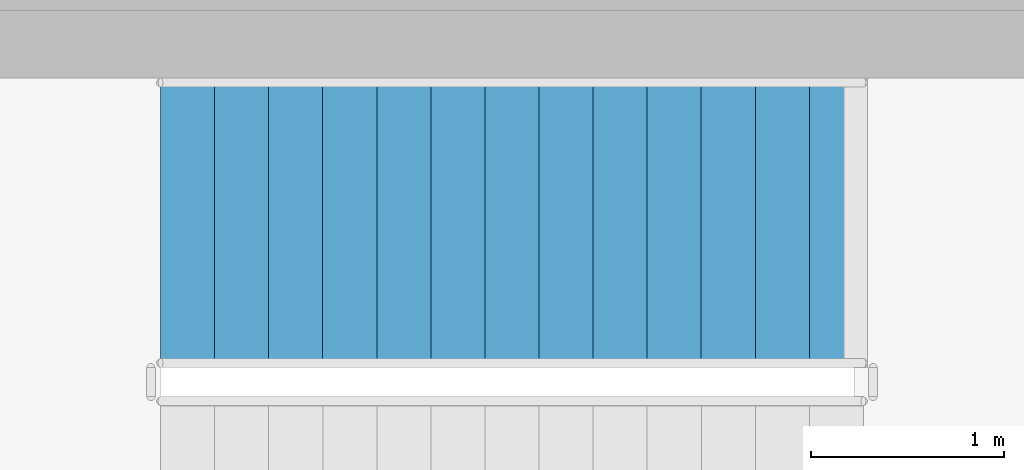
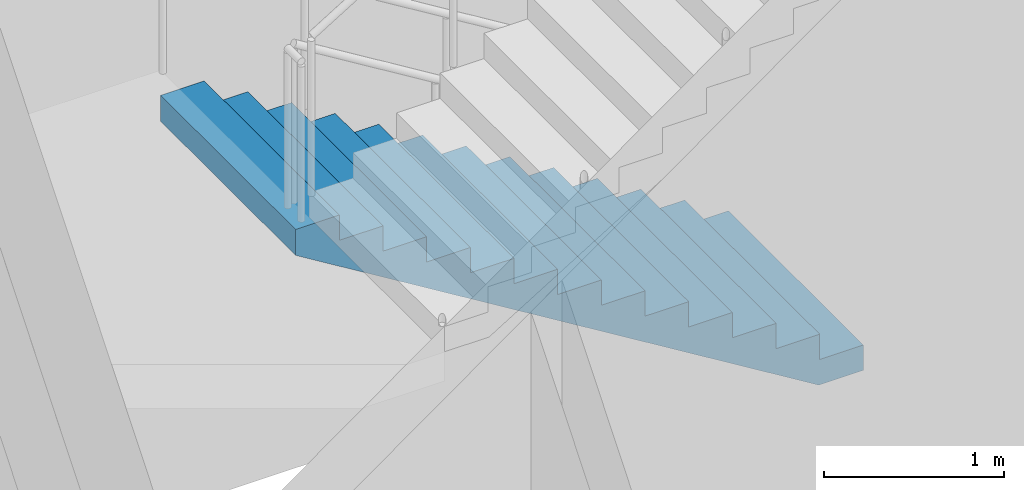
# One storey, part 68 of 91: 1 stair flight, 1 element without a shape of its own.
"""IFC4 building model written with IfcOpenShell, lengths in metres."""

from ifc_helpers import new_model, si_unit, direction, frame, origin, place, context, subcontext, project, spatial, triangles, material, type_object, element, aggregate, save


model = new_model("IFC4")

# Units and contexts
model_context = context("Model", 3, precision=1e-05, world=origin(), true_north=direction((0.0, 1.0)))
body_context = subcontext(model_context, "Body", "Model", "MODEL_VIEW")
ifc_project = project(units=[si_unit("LENGTHUNIT", "METRE"), si_unit("AREAUNIT", "SQUARE_METRE"), si_unit("VOLUMEUNIT", "CUBIC_METRE"), si_unit("PLANEANGLEUNIT", "RADIAN"), si_unit("MASSUNIT", "GRAM", prefix="KILO")], contexts=[model_context])

# Site, building, storey
site_placement = place(None, origin())
site = spatial("IfcSite", under=ifc_project, at=site_placement, CompositionType="ELEMENT")
building_placement = place(site_placement, origin())
building = spatial("IfcBuilding", under=site, at=building_placement, Name="Magnolia Steps Interchange", CompositionType="ELEMENT")
storey_placement = place(building_placement, origin())
storey = spatial("IfcBuildingStorey", under=building, at=storey_placement, Name="L00", CompositionType="ELEMENT", Elevation=0.0)

# Stair, stair flight
ifc_material_1 = material(Name="Concrete C40", Category="concrete")
stair_type = type_object("IfcStairType", Name="Exit stair 1500", PredefinedType="HALF_TURN_STAIR", material=ifc_material_1)
stair_placement = place(storey_placement, origin())
stair = element("IfcStair", 1, at=stair_placement, inside=storey, type_object=stair_type, Name="L00 Stair 2", PredefinedType="HALF_TURN_STAIR")
ifc_material_2 = material(Name="Concrete C40", Category="concrete")
stair_flight_type = type_object("IfcStairFlightType", Name="Exit stair flight", PredefinedType="STRAIGHT", material=ifc_material_2)
stair_flight_placement = place(storey_placement, frame((59.0, 84.35009765625, 0.0), z_axis=(0.0, 0.0, 1.0), x_axis=(-1.0, 0.0, 0.0)))
stair_flight = element("IfcStairFlight", 2, at=stair_flight_placement, type_object=stair_flight_type, Name="Stair 2 flight 1", NumberOfRisers=14, NumberOfTreads=13, PredefinedType="STRAIGHT", RiserHeight=0.171428571, TreadLength=0.28, context=body_context, shape_type="Tessellation", body=[
    triangles([(0.0, -0.75, 0.0), (0.287109375, -0.75, 0.0), (3.639892578125, -0.75, 2.052734375), (3.639892578125, -0.75, 2.228515625), (3.360107421875, -0.75, 2.228515625), (3.360107421875, -0.75, 2.05712890625), (3.080078125, -0.75, 2.05712890625), (3.080078125, -0.75, 1.8857421875), (2.800048828125, -0.75, 1.8857421875), (2.800048828125, -0.75, 1.71435546875), (2.52001953125, -0.75, 1.71435546875), (2.52001953125, -0.75, 1.54296875), (2.239990234375, -0.75, 1.54296875), (2.239990234375, -0.75, 1.371337890625), (1.9599609375, -0.75, 1.371337890625), (1.9599609375, -0.75, 1.199951171875), (1.679931640625, -0.75, 1.199951171875), (1.679931640625, -0.75, 1.028564453125), (1.39990234375, -0.75, 1.028564453125), (1.39990234375, -0.75, 0.857177734375), (1.1201171875, -0.75, 0.857177734375), (1.1201171875, -0.75, 0.685791015625), (0.840087890625, -0.75, 0.685791015625), (0.840087890625, -0.75, 0.514404296875), (0.56005859375, -0.75, 0.514404296875), (0.56005859375, -0.75, 0.3427734375), (0.280029296875, -0.75, 0.3427734375), (0.280029296875, -0.75, 0.17138671875), (0.0, -0.75, 0.17138671875), (0.0, 0.75, 0.0), (0.287109375, 0.75, 0.0), (3.639892578125, 0.75, 2.052734375), (3.639892578125, 0.75, 2.228515625), (3.360107421875, 0.75, 2.228515625), (3.360107421875, 0.75, 2.05712890625), (3.080078125, 0.75, 2.05712890625), (3.080078125, 0.75, 1.8857421875), (2.800048828125, 0.75, 1.8857421875), (2.800048828125, 0.75, 1.71435546875), (2.52001953125, 0.75, 1.71435546875), (2.52001953125, 0.75, 1.54296875), (2.239990234375, 0.75, 1.54296875), (2.239990234375, 0.75, 1.371337890625), (1.9599609375, 0.75, 1.371337890625), (1.9599609375, 0.75, 1.199951171875), (1.679931640625, 0.75, 1.199951171875), (1.679931640625, 0.75, 1.028564453125), (1.39990234375, 0.75, 1.028564453125), (1.39990234375, 0.75, 0.857177734375), (1.1201171875, 0.75, 0.857177734375), (1.1201171875, 0.75, 0.685791015625), (0.840087890625, 0.75, 0.685791015625), (0.840087890625, 0.75, 0.514404296875), (0.56005859375, 0.75, 0.514404296875), (0.56005859375, 0.75, 0.3427734375), (0.280029296875, 0.75, 0.3427734375), (0.280029296875, 0.75, 0.17138671875), (0.0, 0.75, 0.17138671875), (0.0, 0.0, 0.0), (0.0, 0.0, 0.0428466796875), (0.0, 0.0, 0.085693359375), (0.0, 0.0, 0.1285400390625), (0.0, 0.0, 0.17138671875), (0.0, -0.05, 0.0), (0.0, -0.05, 0.17138671875), (0.0, 0.05, 0.0), (0.0, 0.05, 0.17138671875), (0.046671549479166664, 0.0, 0.17138671875), (0.09334309895833333, 0.0, 0.17138671875), (0.1400146484375, 0.0, 0.17138671875), (0.18668619791666666, 0.0, 0.17138671875), (0.23335774739583334, 0.0, 0.17138671875), (0.280029296875, 0.0, 0.17138671875), (0.280029296875, -0.05, 0.17138671875), (0.280029296875, 0.05, 0.17138671875), (0.280029296875, 0.0, 0.2142333984375), (0.280029296875, 0.0, 0.257080078125), (0.280029296875, 0.0, 0.2999267578125), (0.280029296875, 0.0, 0.3427734375), (0.280029296875, -0.05, 0.3427734375), (0.280029296875, 0.05, 0.3427734375), (0.3267008463541667, 0.0, 0.3427734375), (0.3733723958333333, 0.0, 0.3427734375), (0.4200439453125, 0.0, 0.3427734375), (0.46671549479166663, 0.0, 0.3427734375), (0.5133870442708334, 0.0, 0.3427734375), (0.56005859375, 0.0, 0.3427734375), (0.56005859375, -0.05, 0.3427734375), (0.56005859375, 0.05, 0.3427734375), (0.56005859375, 0.0, 0.38568115234375), (0.56005859375, 0.0, 0.4285888671875), (0.56005859375, 0.0, 0.47149658203125), (0.56005859375, 0.0, 0.514404296875), (0.56005859375, -0.05, 0.514404296875), (0.56005859375, 0.05, 0.514404296875), (0.6067301432291666, 0.0, 0.514404296875), (0.6534016927083334, 0.0, 0.514404296875), (0.7000732421875, 0.0, 0.514404296875), (0.7467447916666666, 0.0, 0.514404296875), (0.7934163411458334, 0.0, 0.514404296875), (0.840087890625, 0.0, 0.514404296875), (0.840087890625, -0.05, 0.514404296875), (0.840087890625, 0.05, 0.514404296875), (0.840087890625, 0.0, 0.5572509765625), (0.840087890625, 0.0, 0.60009765625), (0.840087890625, 0.0, 0.6429443359375), (0.840087890625, 0.0, 0.685791015625), (0.840087890625, -0.05, 0.685791015625), (0.840087890625, 0.05, 0.685791015625), (0.8867594401041666, 0.0, 0.685791015625), (0.9334309895833334, 0.0, 0.685791015625), (0.9801025390625, 0.0, 0.685791015625), (1.0267740885416667, 0.0, 0.685791015625), (1.0734456380208333, 0.0, 0.685791015625), (1.1201171875, 0.0, 0.685791015625), (1.1201171875, -0.05, 0.685791015625), (1.1201171875, 0.05, 0.685791015625), (1.1201171875, 0.0, 0.7286376953125), (1.1201171875, 0.0, 0.771484375), (1.1201171875, 0.0, 0.8143310546875), (1.1201171875, 0.0, 0.857177734375), (1.1201171875, -0.05, 0.857177734375), (1.1201171875, 0.05, 0.857177734375), (1.1900634765625, 0.0, 0.857177734375), (1.260009765625, 0.0, 0.857177734375), (1.3299560546875, 0.0, 0.857177734375), (1.39990234375, 0.0, 0.857177734375), (1.39990234375, -0.05, 0.857177734375), (1.39990234375, 0.05, 0.857177734375), (1.39990234375, 0.0, 0.9000244140625), (1.39990234375, 0.0, 0.94287109375), (1.39990234375, 0.0, 0.9857177734375), (1.39990234375, 0.0, 1.028564453125), (1.39990234375, -0.05, 1.028564453125), (1.39990234375, 0.05, 1.028564453125), (1.4465738932291667, 0.0, 1.028564453125), (1.4932454427083333, 0.0, 1.028564453125), (1.5399169921875, 0.0, 1.028564453125), (1.5865885416666667, 0.0, 1.028564453125), (1.6332600911458333, 0.0, 1.028564453125), (1.679931640625, 0.0, 1.028564453125), (1.679931640625, -0.05, 1.028564453125), (1.679931640625, 0.05, 1.028564453125), (1.679931640625, 0.0, 1.0714111328125), (1.679931640625, 0.0, 1.1142578125), (1.679931640625, 0.0, 1.1571044921875), (1.679931640625, 0.0, 1.199951171875), (1.679931640625, -0.05, 1.199951171875), (1.679931640625, 0.05, 1.199951171875), (1.7266031901041667, 0.0, 1.199951171875), (1.7732747395833333, 0.0, 1.199951171875), (1.8199462890625, 0.0, 1.199951171875), (1.8666178385416667, 0.0, 1.199951171875), (1.9132893880208333, 0.0, 1.199951171875), (1.9599609375, 0.0, 1.199951171875), (1.9599609375, -0.05, 1.199951171875), (1.9599609375, 0.05, 1.199951171875), (1.9599609375, 0.0, 1.2427978515625), (1.9599609375, 0.0, 1.28564453125), (1.9599609375, 0.0, 1.3284912109375), (1.9599609375, 0.0, 1.371337890625), (1.9599609375, -0.05, 1.371337890625), (1.9599609375, 0.05, 1.371337890625), (2.0066324869791665, 0.0, 1.371337890625), (2.0533040364583335, 0.0, 1.371337890625), (2.0999755859375, 0.0, 1.371337890625), (2.1466471354166665, 0.0, 1.371337890625), (2.1933186848958335, 0.0, 1.371337890625), (2.239990234375, 0.0, 1.371337890625), (2.239990234375, -0.05, 1.371337890625), (2.239990234375, 0.05, 1.371337890625), (2.239990234375, 0.0, 1.41424560546875), (2.239990234375, 0.0, 1.4571533203125), (2.239990234375, 0.0, 1.50006103515625), (2.239990234375, 0.0, 1.54296875), (2.239990234375, -0.05, 1.54296875), (2.239990234375, 0.05, 1.54296875), (2.2866617838541665, 0.0, 1.54296875), (2.3333333333333335, 0.0, 1.54296875), (2.3800048828125, 0.0, 1.54296875), (2.4266764322916665, 0.0, 1.54296875), (2.4733479817708335, 0.0, 1.54296875), (2.52001953125, 0.0, 1.54296875), (2.52001953125, -0.05, 1.54296875), (2.52001953125, 0.05, 1.54296875), (2.52001953125, 0.0, 1.5858154296875), (2.52001953125, 0.0, 1.628662109375), (2.52001953125, 0.0, 1.6715087890625), (2.52001953125, 0.0, 1.71435546875), (2.52001953125, -0.05, 1.71435546875), (2.52001953125, 0.05, 1.71435546875), (2.5666910807291665, 0.0, 1.71435546875), (2.6133626302083335, 0.0, 1.71435546875), (2.6600341796875, 0.0, 1.71435546875), (2.7067057291666665, 0.0, 1.71435546875), (2.7533772786458335, 0.0, 1.71435546875), (2.800048828125, 0.0, 1.71435546875), (2.800048828125, -0.05, 1.71435546875), (2.800048828125, 0.05, 1.71435546875), (2.800048828125, 0.0, 1.7572021484375), (2.800048828125, 0.0, 1.800048828125), (2.800048828125, 0.0, 1.8428955078125), (2.800048828125, 0.0, 1.8857421875), (2.800048828125, -0.05, 1.8857421875), (2.800048828125, 0.05, 1.8857421875), (2.8467203776041665, 0.0, 1.8857421875), (2.8933919270833335, 0.0, 1.8857421875), (2.9400634765625, 0.0, 1.8857421875), (2.9867350260416665, 0.0, 1.8857421875), (3.0334065755208335, 0.0, 1.8857421875), (3.080078125, 0.0, 1.8857421875), (3.080078125, -0.05, 1.8857421875), (3.080078125, 0.05, 1.8857421875), (3.080078125, 0.0, 1.9285888671875), (3.080078125, 0.0, 1.971435546875), (3.080078125, 0.0, 2.0142822265625), (3.080078125, 0.0, 2.05712890625), (3.080078125, -0.05, 2.05712890625), (3.080078125, 0.05, 2.05712890625), (3.1267496744791665, 0.0, 2.05712890625), (3.1734212239583335, 0.0, 2.05712890625), (3.2200927734375, 0.0, 2.05712890625), (3.2667643229166665, 0.0, 2.05712890625), (3.3134358723958335, 0.0, 2.05712890625), (3.360107421875, 0.0, 2.05712890625), (3.360107421875, -0.05, 2.05712890625), (3.360107421875, 0.05, 2.05712890625), (3.360107421875, 0.0, 2.0999755859375), (3.360107421875, 0.0, 2.142822265625), (3.360107421875, 0.0, 2.1856689453125), (3.360107421875, 0.0, 2.228515625), (3.360107421875, -0.05, 2.228515625), (3.360107421875, 0.05, 2.228515625), (3.4300537109375, 0.0, 2.228515625), (3.5, 0.0, 2.228515625), (3.5699462890625, 0.0, 2.228515625), (3.639892578125, 0.0, 2.228515625), (3.639892578125, -0.05, 2.228515625), (3.639892578125, 0.05, 2.228515625), (3.639892578125, 0.0, 2.1845703125), (3.639892578125, 0.0, 2.140625), (3.639892578125, 0.0, 2.0966796875), (3.639892578125, 0.0, 2.052734375), (3.639892578125, -0.05, 2.052734375), (3.639892578125, 0.05, 2.052734375), (3.582085971174569, 0.0, 2.0173424030172415), (3.524279364224138, 0.0, 1.9819504310344827), (3.466472757273707, 0.0, 1.9465584590517242), (3.408666150323276, 0.0, 1.9111664870689655), (3.3508595433728448, 0.0, 1.8757745150862069), (3.2930529364224137, 0.0, 1.8403825431034484), (3.2352463294719827, 0.0, 1.8049905711206897), (3.1774397225215516, 0.0, 1.769598599137931), (3.1196331155711206, 0.0, 1.7342066271551724), (3.0618265086206895, 0.0, 1.6988146551724137), (3.004019901670259, 0.0, 1.6634226831896552), (2.9462132947198274, 0.0, 1.6280307112068966), (2.888406687769397, 0.0, 1.592638739224138), (2.8306000808189653, 0.0, 1.5572467672413794), (2.7727934738685347, 0.0, 1.5218547952586206), (2.714986866918103, 0.0, 1.486462823275862), (2.6571802599676726, 0.0, 1.4510708512931034), (2.599373653017241, 0.0, 1.4156788793103448), (2.5415670460668105, 0.0, 1.3802869073275863), (2.483760439116379, 0.0, 1.3448949353448276), (2.4259538321659484, 0.0, 1.309502963362069), (2.3681472252155173, 0.0, 1.2741109913793105), (2.3103406182650863, 0.0, 1.2387190193965516), (2.2525340113146552, 0.0, 1.2033270474137931), (2.194727404364224, 0.0, 1.1679350754310345), (2.136920797413793, 0.0, 1.1325431034482758), (2.079114190463362, 0.0, 1.0971511314655173), (2.021307583512931, 0.0, 1.0617591594827587), (1.9635009765625, 0.0, 1.0263671875), (1.905694369612069, 0.0, 0.9909752155172413), (1.847887762661638, 0.0, 0.9555832435344827), (1.7900811557112069, 0.0, 0.9201912715517242), (1.7322745487607758, 0.0, 0.8847992995689655), (1.6744679418103448, 0.0, 0.8494073275862069), (1.6166613348599137, 0.0, 0.8140153556034482), (1.5588547279094827, 0.0, 0.7786233836206897), (1.5010481209590516, 0.0, 0.743231411637931), (1.4432415140086206, 0.0, 0.7078394396551724), (1.3854349070581895, 0.0, 0.6724474676724137), (1.3276283001077585, 0.0, 0.6370554956896552), (1.2698216931573274, 0.0, 0.6016635237068966), (1.2120150862068964, 0.0, 0.5662715517241379), (1.1542084792564653, 0.0, 0.5308795797413792), (1.0964018723060347, 0.0, 0.4954876077586208), (1.0385952653556036, 0.0, 0.4600956357758621), (0.9807886584051726, 0.0, 0.4247036637931034), (0.9229820514547415, 0.0, 0.38931169181034475), (0.8651754445043105, 0.0, 0.3539197198275863), (0.8073688375538794, 0.0, 0.3185277478448276), (0.7495622306034484, 0.0, 0.28313577586206895), (0.6917556236530173, 0.0, 0.24774380387931028), (0.6339490167025863, 0.0, 0.21235183189655182), (0.5761424097521552, 0.0, 0.17695985991379315), (0.5183358028017242, 0.0, 0.14156788793103448), (0.46052919585129315, 0.0, 0.1061759159482758), (0.4027225889008621, 0.0, 0.07078394396551735), (0.34491598195043105, 0.0, 0.03539197198275845), (0.287109375, 0.0, 0.0), (0.287109375, -0.05, 0.0), (0.287109375, 0.05, 0.0), (0.2392578125, 0.0, 0.0), (0.19140625, 0.0, 0.0), (0.1435546875, 0.0, 0.0), (0.095703125, 0.0, 0.0), (0.0478515625, 0.0, 0.0)], [[1, 2, 3], [3, 4, 5], [3, 5, 6], [3, 6, 7], [3, 7, 8], [8, 9, 10], [3, 8, 10], [10, 11, 12], [3, 10, 12], [12, 13, 14], [3, 12, 14], [14, 15, 16], [3, 14, 16], [16, 17, 18], [3, 16, 18], [18, 19, 20], [3, 18, 20], [20, 21, 22], [3, 20, 22], [22, 23, 24], [3, 22, 24], [24, 25, 26], [3, 24, 26], [26, 27, 28], [3, 26, 28], [1, 3, 28], [28, 29, 1], [30, 32, 31], [32, 34, 33], [32, 35, 34], [32, 36, 35], [32, 37, 36], [37, 39, 38], [32, 39, 37], [39, 41, 40], [32, 41, 39], [41, 43, 42], [32, 43, 41], [43, 45, 44], [32, 45, 43], [45, 47, 46], [32, 47, 45], [47, 49, 48], [32, 49, 47], [49, 51, 50], [32, 51, 49], [51, 53, 52], [32, 53, 51], [53, 55, 54], [32, 55, 53], [55, 57, 56], [32, 57, 55], [30, 57, 32], [57, 30, 58], [1, 29, 65], [1, 65, 64], [64, 60, 59], [64, 61, 60], [64, 65, 61], [65, 62, 61], [65, 63, 62], [30, 67, 58], [30, 66, 67], [66, 59, 60], [66, 60, 61], [66, 61, 67], [67, 61, 62], [67, 62, 63], [29, 28, 74], [29, 74, 65], [65, 68, 63], [65, 69, 68], [65, 70, 69], [65, 74, 70], [74, 71, 70], [74, 72, 71], [74, 73, 72], [58, 75, 57], [58, 67, 75], [67, 63, 68], [67, 68, 69], [67, 69, 70], [67, 70, 75], [75, 70, 71], [75, 71, 72], [75, 72, 73], [28, 27, 80], [28, 80, 74], [74, 76, 73], [74, 77, 76], [74, 80, 77], [80, 78, 77], [80, 79, 78], [57, 81, 56], [57, 75, 81], [75, 73, 76], [75, 76, 77], [75, 77, 81], [81, 77, 78], [81, 78, 79], [27, 26, 88], [27, 88, 80], [80, 82, 79], [80, 83, 82], [80, 84, 83], [80, 88, 84], [88, 85, 84], [88, 86, 85], [88, 87, 86], [56, 89, 55], [56, 81, 89], [81, 79, 82], [81, 82, 83], [81, 83, 84], [81, 84, 89], [89, 84, 85], [89, 85, 86], [89, 86, 87], [26, 25, 94], [26, 94, 88], [88, 90, 87], [88, 91, 90], [88, 94, 91], [94, 92, 91], [94, 93, 92], [55, 95, 54], [55, 89, 95], [89, 87, 90], [89, 90, 91], [89, 91, 95], [95, 91, 92], [95, 92, 93], [25, 24, 102], [25, 102, 94], [94, 96, 93], [94, 97, 96], [94, 98, 97], [94, 102, 98], [102, 99, 98], [102, 100, 99], [102, 101, 100], [54, 103, 53], [54, 95, 103], [95, 93, 96], [95, 96, 97], [95, 97, 98], [95, 98, 103], [103, 98, 99], [103, 99, 100], [103, 100, 101], [24, 23, 108], [24, 108, 102], [102, 104, 101], [102, 105, 104], [102, 108, 105], [108, 106, 105], [108, 107, 106], [53, 109, 52], [53, 103, 109], [103, 101, 104], [103, 104, 105], [103, 105, 109], [109, 105, 106], [109, 106, 107], [23, 22, 116], [23, 116, 108], [108, 110, 107], [108, 111, 110], [108, 112, 111], [108, 116, 112], [116, 113, 112], [116, 114, 113], [116, 115, 114], [52, 117, 51], [52, 109, 117], [109, 107, 110], [109, 110, 111], [109, 111, 112], [109, 112, 117], [117, 112, 113], [117, 113, 114], [117, 114, 115], [22, 21, 122], [22, 122, 116], [116, 118, 115], [116, 119, 118], [116, 122, 119], [122, 120, 119], [122, 121, 120], [51, 123, 50], [51, 117, 123], [117, 115, 118], [117, 118, 119], [117, 119, 123], [123, 119, 120], [123, 120, 121], [21, 20, 128], [21, 128, 122], [122, 124, 121], [122, 125, 124], [122, 128, 125], [128, 126, 125], [128, 127, 126], [50, 129, 49], [50, 123, 129], [123, 121, 124], [123, 124, 125], [123, 125, 129], [129, 125, 126], [129, 126, 127], [20, 19, 134], [20, 134, 128], [128, 130, 127], [128, 131, 130], [128, 134, 131], [134, 132, 131], [134, 133, 132], [49, 135, 48], [49, 129, 135], [129, 127, 130], [129, 130, 131], [129, 131, 135], [135, 131, 132], [135, 132, 133], [19, 18, 142], [19, 142, 134], [134, 136, 133], [134, 137, 136], [134, 138, 137], [134, 142, 138], [142, 139, 138], [142, 140, 139], [142, 141, 140], [48, 143, 47], [48, 135, 143], [135, 133, 136], [135, 136, 137], [135, 137, 138], [135, 138, 143], [143, 138, 139], [143, 139, 140], [143, 140, 141], [18, 17, 148], [18, 148, 142], [142, 144, 141], [142, 145, 144], [142, 148, 145], [148, 146, 145], [148, 147, 146], [47, 149, 46], [47, 143, 149], [143, 141, 144], [143, 144, 145], [143, 145, 149], [149, 145, 146], [149, 146, 147], [17, 16, 156], [17, 156, 148], [148, 150, 147], [148, 151, 150], [148, 152, 151], [148, 156, 152], [156, 153, 152], [156, 154, 153], [156, 155, 154], [46, 157, 45], [46, 149, 157], [149, 147, 150], [149, 150, 151], [149, 151, 152], [149, 152, 157], [157, 152, 153], [157, 153, 154], [157, 154, 155], [16, 15, 162], [16, 162, 156], [156, 158, 155], [156, 159, 158], [156, 162, 159], [162, 160, 159], [162, 161, 160], [45, 163, 44], [45, 157, 163], [157, 155, 158], [157, 158, 159], [157, 159, 163], [163, 159, 160], [163, 160, 161], [15, 14, 170], [15, 170, 162], [162, 164, 161], [162, 165, 164], [162, 166, 165], [162, 170, 166], [170, 167, 166], [170, 168, 167], [170, 169, 168], [44, 171, 43], [44, 163, 171], [163, 161, 164], [163, 164, 165], [163, 165, 166], [163, 166, 171], [171, 166, 167], [171, 167, 168], [171, 168, 169], [14, 13, 176], [14, 176, 170], [170, 172, 169], [170, 173, 172], [170, 176, 173], [176, 174, 173], [176, 175, 174], [43, 177, 42], [43, 171, 177], [171, 169, 172], [171, 172, 173], [171, 173, 177], [177, 173, 174], [177, 174, 175], [13, 12, 184], [13, 184, 176], [176, 178, 175], [176, 179, 178], [176, 180, 179], [176, 184, 180], [184, 181, 180], [184, 182, 181], [184, 183, 182], [42, 185, 41], [42, 177, 185], [177, 175, 178], [177, 178, 179], [177, 179, 180], [177, 180, 185], [185, 180, 181], [185, 181, 182], [185, 182, 183], [12, 11, 190], [12, 190, 184], [184, 186, 183], [184, 187, 186], [184, 190, 187], [190, 188, 187], [190, 189, 188], [41, 191, 40], [41, 185, 191], [185, 183, 186], [185, 186, 187], [185, 187, 191], [191, 187, 188], [191, 188, 189], [11, 10, 198], [11, 198, 190], [190, 192, 189], [190, 193, 192], [190, 194, 193], [190, 198, 194], [198, 195, 194], [198, 196, 195], [198, 197, 196], [40, 199, 39], [40, 191, 199], [191, 189, 192], [191, 192, 193], [191, 193, 194], [191, 194, 199], [199, 194, 195], [199, 195, 196], [199, 196, 197], [10, 9, 204], [10, 204, 198], [198, 200, 197], [198, 201, 200], [198, 204, 201], [204, 202, 201], [204, 203, 202], [39, 205, 38], [39, 199, 205], [199, 197, 200], [199, 200, 201], [199, 201, 205], [205, 201, 202], [205, 202, 203], [9, 8, 212], [9, 212, 204], [204, 206, 203], [204, 207, 206], [204, 208, 207], [204, 212, 208], [212, 209, 208], [212, 210, 209], [212, 211, 210], [38, 213, 37], [38, 205, 213], [205, 203, 206], [205, 206, 207], [205, 207, 208], [205, 208, 213], [213, 208, 209], [213, 209, 210], [213, 210, 211], [8, 7, 218], [8, 218, 212], [212, 214, 211], [212, 215, 214], [212, 218, 215], [218, 216, 215], [218, 217, 216], [37, 219, 36], [37, 213, 219], [213, 211, 214], [213, 214, 215], [213, 215, 219], [219, 215, 216], [219, 216, 217], [7, 6, 226], [7, 226, 218], [218, 220, 217], [218, 221, 220], [218, 222, 221], [218, 226, 222], [226, 223, 222], [226, 224, 223], [226, 225, 224], [36, 227, 35], [36, 219, 227], [219, 217, 220], [219, 220, 221], [219, 221, 222], [219, 222, 227], [227, 222, 223], [227, 223, 224], [227, 224, 225], [6, 5, 232], [6, 232, 226], [226, 228, 225], [226, 229, 228], [226, 232, 229], [232, 230, 229], [232, 231, 230], [35, 233, 34], [35, 227, 233], [227, 225, 228], [227, 228, 229], [227, 229, 233], [233, 229, 230], [233, 230, 231], [5, 4, 238], [5, 238, 232], [232, 234, 231], [232, 235, 234], [232, 238, 235], [238, 236, 235], [238, 237, 236], [34, 239, 33], [34, 233, 239], [233, 231, 234], [233, 234, 235], [233, 235, 239], [239, 235, 236], [239, 236, 237], [4, 3, 244], [4, 244, 238], [238, 240, 237], [238, 241, 240], [238, 244, 241], [244, 242, 241], [244, 243, 242], [33, 245, 32], [33, 239, 245], [239, 237, 240], [239, 240, 241], [239, 241, 245], [245, 241, 242], [245, 242, 243], [3, 2, 304], [3, 304, 244], [244, 246, 243], [244, 247, 246], [244, 248, 247], [244, 249, 248], [244, 250, 249], [244, 251, 250], [244, 252, 251], [244, 253, 252], [244, 254, 253], [244, 255, 254], [244, 256, 255], [244, 257, 256], [244, 258, 257], [244, 259, 258], [244, 260, 259], [244, 261, 260], [244, 262, 261], [244, 263, 262], [244, 264, 263], [244, 265, 264], [244, 266, 265], [244, 267, 266], [244, 268, 267], [244, 269, 268], [244, 270, 269], [244, 271, 270], [244, 272, 271], [244, 273, 272], [244, 274, 273], [244, 304, 274], [304, 275, 274], [304, 276, 275], [304, 277, 276], [304, 278, 277], [304, 279, 278], [304, 280, 279], [304, 281, 280], [304, 282, 281], [304, 283, 282], [304, 284, 283], [304, 285, 284], [304, 286, 285], [304, 287, 286], [304, 288, 287], [304, 289, 288], [304, 290, 289], [304, 291, 290], [304, 292, 291], [304, 293, 292], [304, 294, 293], [304, 295, 294], [304, 296, 295], [304, 297, 296], [304, 298, 297], [304, 299, 298], [304, 300, 299], [304, 301, 300], [304, 302, 301], [304, 303, 302], [32, 305, 31], [32, 245, 305], [245, 243, 246], [245, 246, 247], [245, 247, 248], [245, 248, 249], [245, 249, 250], [245, 250, 251], [245, 251, 252], [245, 252, 253], [245, 253, 254], [245, 254, 255], [245, 255, 256], [245, 256, 257], [245, 257, 258], [245, 258, 259], [245, 259, 260], [245, 260, 261], [245, 261, 262], [245, 262, 263], [245, 263, 264], [245, 264, 265], [245, 265, 266], [245, 266, 267], [245, 267, 268], [245, 268, 269], [245, 269, 270], [245, 270, 271], [245, 271, 272], [245, 272, 273], [245, 273, 274], [245, 274, 305], [305, 274, 275], [305, 275, 276], [305, 276, 277], [305, 277, 278], [305, 278, 279], [305, 279, 280], [305, 280, 281], [305, 281, 282], [305, 282, 283], [305, 283, 284], [305, 284, 285], [305, 285, 286], [305, 286, 287], [305, 287, 288], [305, 288, 289], [305, 289, 290], [305, 290, 291], [305, 291, 292], [305, 292, 293], [305, 293, 294], [305, 294, 295], [305, 295, 296], [305, 296, 297], [305, 297, 298], [305, 298, 299], [305, 299, 300], [305, 300, 301], [305, 301, 302], [305, 302, 303], [2, 1, 64], [2, 64, 304], [304, 306, 303], [304, 307, 306], [304, 308, 307], [304, 64, 308], [64, 309, 308], [64, 310, 309], [64, 59, 310], [31, 66, 30], [31, 305, 66], [305, 303, 306], [305, 306, 307], [305, 307, 308], [305, 308, 66], [66, 308, 309], [66, 309, 310], [66, 310, 59]], closed=True),
])
aggregate(stair, [stair_flight])

save(model, "model.ifc")
